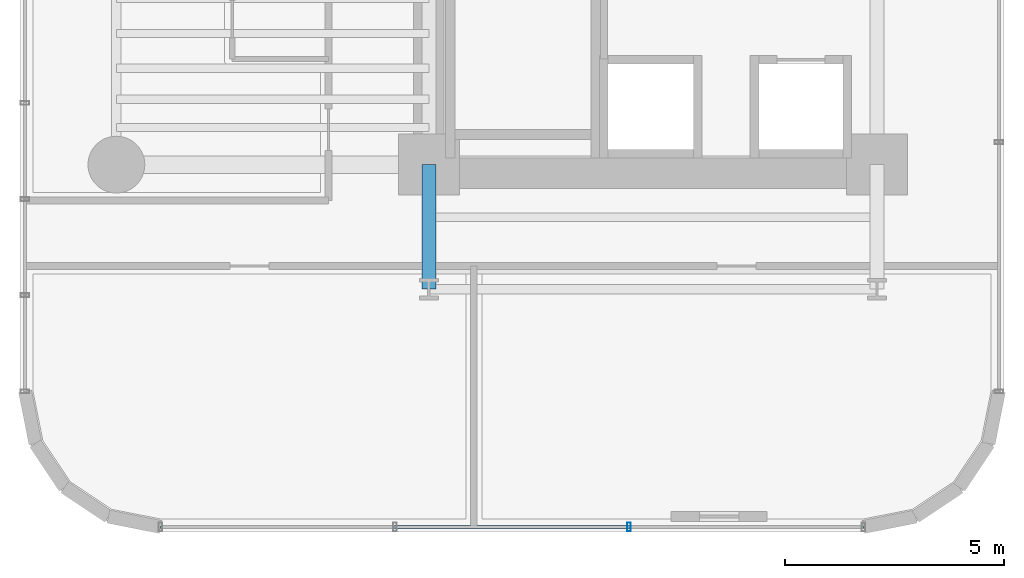
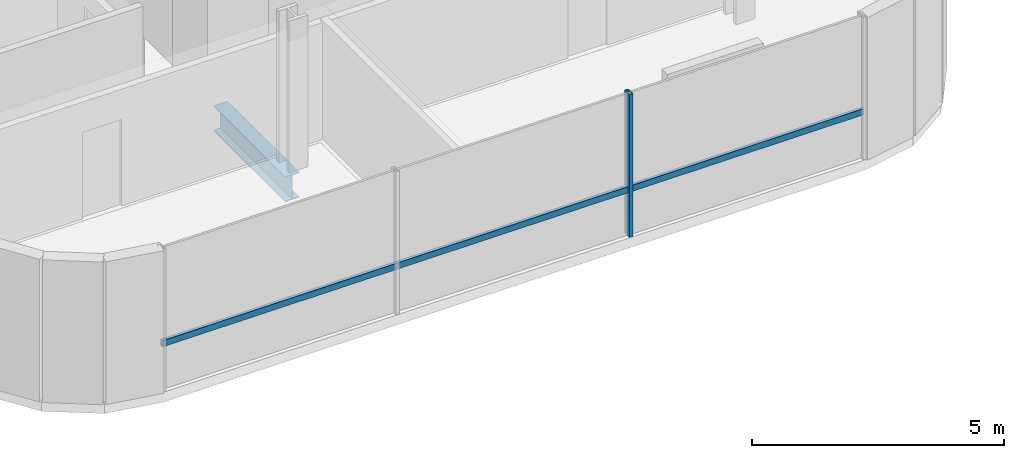
# One storey, part 3 of 40: 2 members, 1 beam, 1 element without a shape of its own.
"""IFC4 building model written with IfcOpenShell, lengths in metres."""

from ifc_helpers import new_model, si_unit, direction, frame, origin, origin_2d, place, context, subcontext, project, spatial, hollow_rectangle, i_section, extrude, source, transform, mapped, material, material_profile, profile_set, type_object, element, aggregate, save


model = new_model("IFC4")

# Units and contexts
model_context = context("Model", 3, precision=1e-05, world=origin(), true_north=direction((0.0, 1.0)))
body_context = subcontext(model_context, "Body", "Model", "MODEL_VIEW")
ifc_project = project(units=[si_unit("LENGTHUNIT", "METRE"), si_unit("AREAUNIT", "SQUARE_METRE"), si_unit("VOLUMEUNIT", "CUBIC_METRE"), si_unit("PLANEANGLEUNIT", "RADIAN"), si_unit("MASSUNIT", "GRAM", prefix="KILO")], contexts=[model_context])

# Site, building, storey
site_placement = place(None, origin())
site = spatial("IfcSite", under=ifc_project, at=site_placement, CompositionType="ELEMENT")
building_placement = place(site_placement, origin())
building = spatial("IfcBuilding", under=site, at=building_placement, Name="Valdorenza Pilgrim Sanctuary Tower", CompositionType="ELEMENT")
storey_placement = place(building_placement, frame((0.0, 0.0, 81.5)))
storey = spatial("IfcBuildingStorey", under=building, at=storey_placement, Name="L20", CompositionType="ELEMENT", Elevation=81.5)

# Beam
ifc_material_1 = material(Name="Steel ASTM A992 Grade 50", Category="steel")
ifc_material_profile_1 = material_profile(ifc_material_1, i_section(OverallWidth=0.323974609375, OverallDepth=0.611083984375, WebThickness=0.0126953125, FlangeThickness=0.01904296875, at=origin_2d()), Name="W24X104")
ifc_profile_set_1 = profile_set([ifc_material_profile_1], Name="Steel ASTM A992 Grade 50")
beam_type = type_object("IfcBeamType", Name="STR-BM-GRD-W24B", PredefinedType="BEAM", material=ifc_profile_set_1)
shared_shape_1 = source(origin(), body_context, "Body", "SweptSolid", [
    extrude(i_section(OverallWidth=0.323974609375, OverallDepth=0.611083984375, WebThickness=0.0126953125, FlangeThickness=0.01904296875, at=origin_2d()), origin(), (0.0, 0.0, 1.0), 2.849853515625),
])
beam_placement = place(storey_placement, frame((-22.64990234375, -13.449951171875, -0.54541015625), z_axis=(0.0, 1.0, 0.0), x_axis=(-1.0, 0.0, 0.0)))
element("IfcBeam", 1, at=beam_placement, inside=storey, type_object=beam_type, Name="L20 Floor Girder WA-S-LW", PredefinedType="BEAM", context=body_context, shape_type="MappedRepresentation", body=[
    mapped(shared_shape_1, transform((0.0, 0.0, 0.0), x_axis=(1.0, 0.0, 0.0), y_axis=(0.0, 1.0, 0.0), z_axis=(0.0, 0.0, 1.0), scale=1.0)),
])

# Curtain wall, members
ifc_material_2 = material(Name="Curtain-wall IGU glazing", Category="glass")
curtain_wall_type = type_object("IfcCurtainWallType", Name="CW-SYS-02", PredefinedType="NOTDEFINED", material=ifc_material_2)
curtain_wall_placement = place(storey_placement, origin())
curtain_wall = element("IfcCurtainWall", 2, at=curtain_wall_placement, inside=storey, type_object=curtain_wall_type, Name="L20 Curtain Wall CW-L20-1-46", PredefinedType="NOTDEFINED")
ifc_material_3 = material(Name="Anodised aluminium AW-6060", Category="aluminium")
ifc_material_profile_2 = material_profile(ifc_material_3, hollow_rectangle(XDim=0.0849609375, YDim=0.199951171875, WallThickness=0.0048828125, at=origin_2d()), Name="ALU-M 200x85x5")
ifc_profile_set_2 = profile_set([ifc_material_profile_2], Name="Anodised aluminium AW-6060")
member_type_1 = type_object("IfcMemberType", Name="CW-MUL-02", PredefinedType="MULLION", material=ifc_profile_set_2)
shared_shape_2 = source(origin(), body_context, "Body", "SweptSolid", [
    extrude(hollow_rectangle(XDim=0.0849609375, YDim=0.199951171875, WallThickness=0.0048828125, at=origin_2d()), origin(), (0.0, 0.0, 1.0), 3.4599609375),
])
member_1_placement = place(storey_placement, frame((-18.0703125, -18.889892578125, 0.0), z_axis=(0.0, 0.0, 1.0), x_axis=(-1.0, 0.0, 0.0)))
member_1 = element("IfcMember", 3, at=member_1_placement, type_object=member_type_1, Name="CW-L20-1-46 Mullion 2", PredefinedType="MULLION", context=body_context, shape_type="MappedRepresentation", body=[
    mapped(shared_shape_2, transform((0.0, 0.0, 0.0), x_axis=(1.0, 0.0, 0.0), y_axis=(0.0, 1.0, 0.0), z_axis=(0.0, 0.0, 1.0), scale=1.0)),
])
ifc_material_profile_3 = material_profile(ifc_material_3, hollow_rectangle(XDim=0.074951171875, YDim=0.14990234375, WallThickness=0.00390625, at=origin_2d()), Name="ALU-T 150x75x4")
ifc_profile_set_3 = profile_set([ifc_material_profile_3], Name="Anodised aluminium AW-6060")
member_type_2 = type_object("IfcMemberType", Name="CW-TRN-02", PredefinedType="USERDEFINED", material=ifc_profile_set_3)
shared_shape_3 = source(origin(), body_context, "Body", "SweptSolid", [
    extrude(hollow_rectangle(XDim=0.074951171875, YDim=0.14990234375, WallThickness=0.00390625, at=origin_2d()), origin(), (0.0, 0.0, 1.0), 16.07861328125),
])
member_2_placement = place(storey_placement, frame((-12.710693359375, -18.889892578125, 1.1201171875), z_axis=(-1.0, 0.0, 0.0), x_axis=(0.0, -1.0, 0.0)))
member_2 = element("IfcMember", 4, at=member_2_placement, type_object=member_type_2, Name="CW-L20-1-46 Transom 1", ObjectType="TRANSOM", PredefinedType="USERDEFINED", context=body_context, shape_type="MappedRepresentation", body=[
    mapped(shared_shape_3, transform((0.0, 0.0, 0.0), x_axis=(1.0, 0.0, 0.0), y_axis=(0.0, 1.0, 0.0), z_axis=(0.0, 0.0, 1.0), scale=1.0)),
])
aggregate(curtain_wall, [member_1, member_2])

save(model, "model.ifc")
